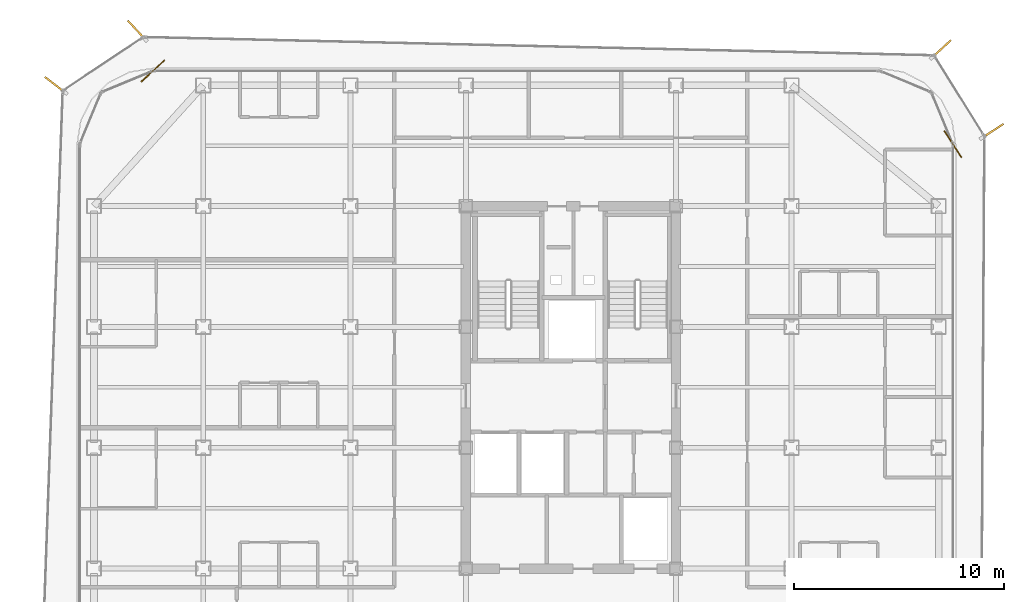
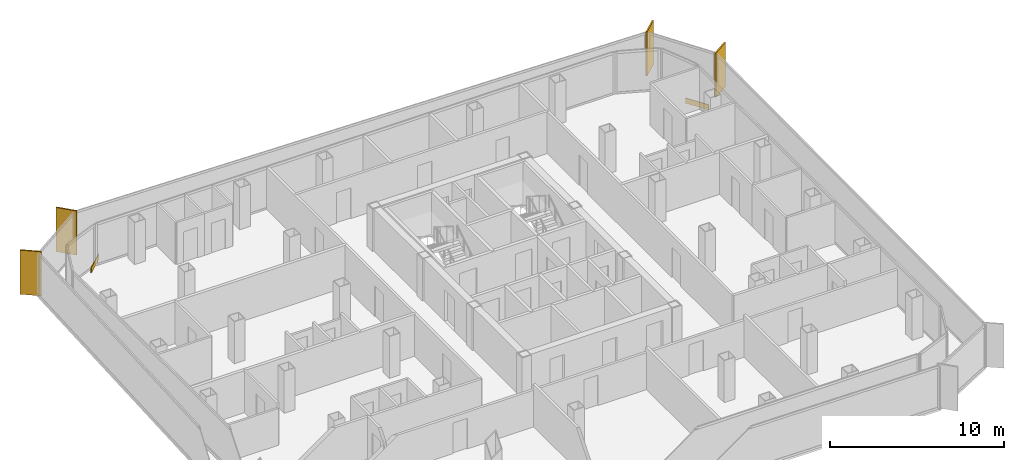
# One storey, part 15 of 15: 4 shading devices, 2 coverings.
"""IFC4 building model written with IfcOpenShell, lengths in metres."""

from ifc_helpers import new_model, si_unit, direction, frame, origin, origin_2d, place, context, subcontext, project, spatial, rectangle, extrude, source, transform, mapped, material, layer, layer_set, type_object, element, save


model = new_model("IFC4")

# Units and contexts
model_context = context("Model", 3, precision=1e-05, world=origin(), true_north=direction((0.0, 1.0)))
body_context = subcontext(model_context, "Body", "Model", "MODEL_VIEW")
ifc_project = project(units=[si_unit("LENGTHUNIT", "METRE"), si_unit("AREAUNIT", "SQUARE_METRE"), si_unit("VOLUMEUNIT", "CUBIC_METRE"), si_unit("PLANEANGLEUNIT", "RADIAN"), si_unit("MASSUNIT", "GRAM", prefix="KILO")], contexts=[model_context])

# Site, building, storey
site_placement = place(None, origin())
site = spatial("IfcSite", under=ifc_project, at=site_placement, CompositionType="ELEMENT")
building_placement = place(site_placement, origin())
building = spatial("IfcBuilding", under=site, at=building_placement, Name="Kolveth Station Tower", CompositionType="ELEMENT")
storey_placement = place(building_placement, frame((0.0, 0.0, 196.39990234375)))
storey = spatial("IfcBuildingStorey", under=building, at=storey_placement, Name="L55", CompositionType="ELEMENT", Elevation=196.39990234375)

# Shading devices
ifc_material_1 = material(Name="Black anodized aluminium 6063-T6", Category="aluminium")
shading_device_type = type_object("IfcShadingDeviceType", Name="FIN_VF1", PredefinedType="USERDEFINED", material=ifc_material_1)
shared_shape_1 = source(origin(), body_context, "Body", "SweptSolid", [
    extrude(rectangle(XDim=1.25, YDim=0.090087890625, at=origin_2d()), origin(), (0.0, 0.0, 1.0), 3.10009765625),
])
for number, where, z_axis, x_axis, name in (
    (1, (43.56103515625, 32.322021484375, 0.0), (0.0, 0.0, 1.0), (0.839430209734, 0.543467499475, 0.0), "L55 Dark-Aluminium Solar Fin 3"),
    (2, (41.1240234375, 36.22509765625, 0.0), (0.0, 0.0, 1.0), (0.73645139763, 0.676490457382, 0.0), "L55 Dark-Aluminium Solar Fin 4"),
    (3, (2.8349609375, 37.1201171875, 0.0), (0.0, 0.0, 1.0), (-0.680209291693, 0.733017953051, 0.0), "L55 Dark-Aluminium Solar Fin 5"),
    (4, (-1.0400390625, 34.51611328125, 0.0), (0.0, 0.0, 1.0), (-0.792821793707, 0.609453528518, 0.0), "L55 Dark-Aluminium Solar Fin 6"),
):
    element("IfcShadingDevice", number, at=place(storey_placement, frame(where, z_axis=z_axis, x_axis=x_axis)), inside=storey, type_object=shading_device_type, Name=name, ObjectType="FIN", PredefinedType="USERDEFINED", context=body_context, shape_type="MappedRepresentation", body=[
        mapped(shared_shape_1, transform((0.0, 0.0, 0.0), x_axis=(1.0, 0.0, 0.0), y_axis=(0.0, 1.0, 0.0), z_axis=(0.0, 0.0, 1.0), scale=1.0)),
    ])

# Coverings
ifc_material_2 = material(Name="Charcoal anodized aluminium spandrel cladding", Category="aluminium")
ifc_layer = layer(ifc_material_2, 0.044921875)
ifc_layer_set = layer_set([ifc_layer], Name="Charcoal anodized aluminium spandrel cladding")
covering_type = type_object("IfcCoveringType", Name="Clad_CD1", PredefinedType="CLADDING", material=ifc_layer_set)
shared_shape_2 = source(origin(), body_context, "Body", "SweptSolid", [
    extrude(rectangle(XDim=1.5, YDim=0.044921875, at=origin_2d()), origin(), (0.0, 0.0, 1.0), 0.360107421875),
])
for number, where, z_axis, x_axis, name in (
    (5, (41.679931640625, 31.699951171875, 0.0), (0.0, 0.0, 1.0), (-0.543467499475, 0.839430209734, 0.0), "L55 Spandrel Edge Cladding 3"),
    (6, (3.60009765625, 35.179931640625, 0.0), (0.0, 0.0, 1.0), (-0.733017953051, -0.680209291693, 0.0), "L55 Spandrel Edge Cladding 5"),
):
    element("IfcCovering", number, at=place(storey_placement, frame(where, z_axis=z_axis, x_axis=x_axis)), inside=storey, type_object=covering_type, Name=name, PredefinedType="CLADDING", context=body_context, shape_type="MappedRepresentation", body=[
        mapped(shared_shape_2, transform((0.0, 0.0, 0.0), x_axis=(1.0, 0.0, 0.0), y_axis=(0.0, 1.0, 0.0), z_axis=(0.0, 0.0, 1.0), scale=1.0)),
    ])

save(model, "model.ifc")
